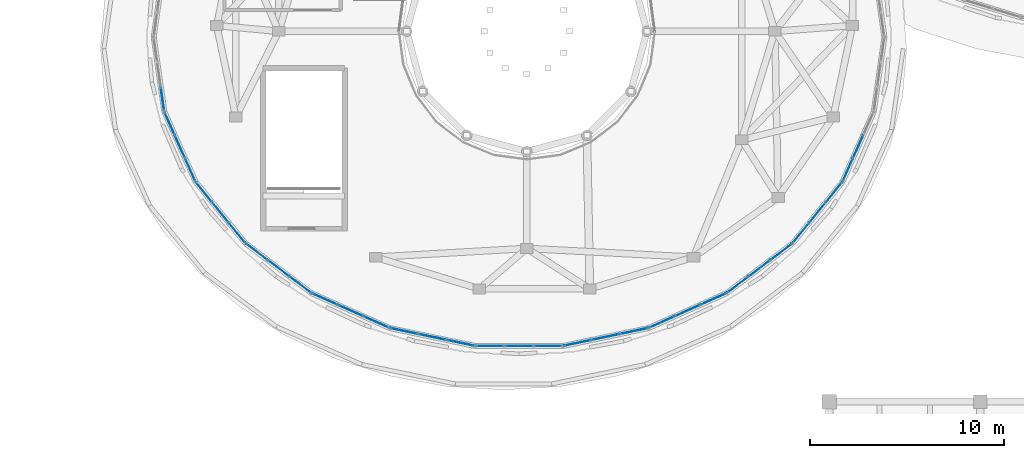
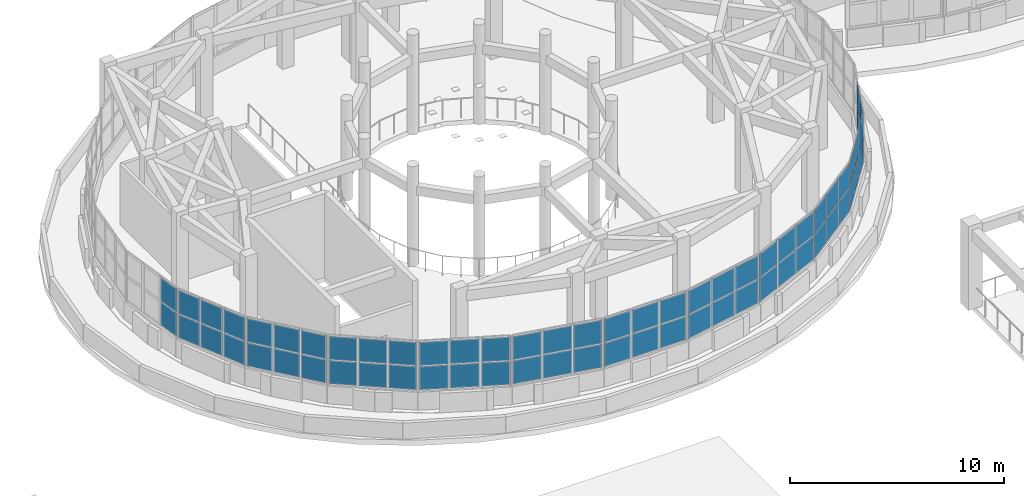
# One storey, part 56 of 98: 66 plates, 12 elements without a shape of their own.
"""IFC4 building model written with IfcOpenShell, lengths in metres."""

from ifc_helpers import new_model, si_unit, direction, frame, origin, origin_2d, place, context, subcontext, project, spatial, rectangle, extrude, material, layer, layer_set, type_object, element, aggregate, save


model = new_model("IFC4")

# Units and contexts
model_context = context("Model", 3, precision=1e-05, world=origin(), true_north=direction((0.0, 1.0)))
body_context = subcontext(model_context, "Body", "Model", "MODEL_VIEW")
ifc_project = project(units=[si_unit("LENGTHUNIT", "METRE"), si_unit("AREAUNIT", "SQUARE_METRE"), si_unit("VOLUMEUNIT", "CUBIC_METRE"), si_unit("PLANEANGLEUNIT", "RADIAN"), si_unit("MASSUNIT", "GRAM", prefix="KILO")], contexts=[model_context])

# Site, building, storey
site_placement = place(None, origin())
site = spatial("IfcSite", under=ifc_project, at=site_placement, CompositionType="ELEMENT")
building_placement = place(site_placement, origin())
building = spatial("IfcBuilding", under=site, at=building_placement, Name="Pelvatis Terrace Science Centre", CompositionType="ELEMENT")
storey_placement = place(building_placement, frame((0.0, 0.0, 5.39990234375)))
storey = spatial("IfcBuildingStorey", under=building, at=storey_placement, Name="L01", CompositionType="ELEMENT", Elevation=5.39990234375)

# Curtain wall, plates
ifc_material_1 = material(Name="Bronze-anodised aluminium and laminated glass", Category="aluminium")
ifc_layer_1 = layer(ifc_material_1, 0.179931640625)
ifc_layer_set_1 = layer_set([ifc_layer_1], Name="Bronze-anodised aluminium and laminated glass")
curtain_wall_type = type_object("IfcCurtainWallType", Name="CW-RIBBON-A", PredefinedType="NOTDEFINED", material=ifc_layer_set_1)
curtain_wall_1_placement = place(storey_placement, origin())
curtain_wall_1 = element("IfcCurtainWall", 1, at=curtain_wall_1_placement, inside=storey, type_object=curtain_wall_type, Name="Ribbon curtain wall CW-030 (L01)", PredefinedType="NOTDEFINED")
ifc_material_2 = material(Name="Low-e laminated solar-control double glazing", Category="glass")
ifc_layer_2 = layer(ifc_material_2, 0.031982421875)
ifc_layer_set_2 = layer_set([ifc_layer_2], Name="Low-e laminated solar-control double glazing")
plate_type = type_object("IfcPlateType", Name="CWP-IGU-32", PredefinedType="CURTAIN_PANEL", material=ifc_layer_set_2)
plate_1_placement = place(storey_placement, frame((28.00439453125, 31.614013671875, 1.080078125), z_axis=(0.0, 0.0, 1.0), x_axis=(0.141165156196, -0.989986059839, 0.0)))
plate_1 = element("IfcPlate", 2, at=plate_1_placement, type_object=plate_type, Name="CW-030 panel 3.1", PredefinedType="CURTAIN_PANEL", context=body_context, shape_type="SweptSolid", body=[
    extrude(rectangle(XDim=1.203369140625, YDim=0.031982421875, at=origin_2d()), origin(), (0.0, 0.0, 1.0), 1.330078125),
])
plate_2_placement = place(storey_placement, frame((28.00439453125, 31.614013671875, 2.469970703125), z_axis=(0.0, 0.0, 1.0), x_axis=(0.141165156196, -0.989986059839, 0.0)))
plate_2 = element("IfcPlate", 3, at=plate_2_placement, type_object=plate_type, Name="CW-030 panel 3.2", PredefinedType="CURTAIN_PANEL", context=body_context, shape_type="SweptSolid", body=[
    extrude(rectangle(XDim=1.203369140625, YDim=0.031982421875, at=origin_2d()), origin(), (0.0, 0.0, 1.0), 1.330078125),
])
aggregate(curtain_wall_1, [plate_1, plate_2])

curtain_wall_2_placement = place(storey_placement, origin())
curtain_wall_2 = element("IfcCurtainWall", 4, at=curtain_wall_2_placement, inside=storey, type_object=curtain_wall_type, Name="Ribbon curtain wall CW-031 (L01)", PredefinedType="NOTDEFINED")
plate_3_placement = place(storey_placement, frame((28.372314453125, 30.34228515625, 1.080078125), z_axis=(0.0, 0.0, 1.0), x_axis=(0.406895029669, -0.913474922935, 0.0)))
plate_3 = element("IfcPlate", 5, at=plate_3_placement, type_object=plate_type, Name="CW-031 panel 1.1", PredefinedType="CURTAIN_PANEL", context=body_context, shape_type="SweptSolid", body=[
    extrude(rectangle(XDim=1.230224609375, YDim=0.031982421875, at=origin_2d()), origin(), (0.0, 0.0, 1.0), 1.330078125),
])
plate_4_placement = place(storey_placement, frame((28.372314453125, 30.34228515625, 2.469970703125), z_axis=(0.0, 0.0, 1.0), x_axis=(0.406895029669, -0.913474922935, 0.0)))
plate_4 = element("IfcPlate", 6, at=plate_4_placement, type_object=plate_type, Name="CW-031 panel 1.2", PredefinedType="CURTAIN_PANEL", context=body_context, shape_type="SweptSolid", body=[
    extrude(rectangle(XDim=1.230224609375, YDim=0.031982421875, at=origin_2d()), origin(), (0.0, 0.0, 1.0), 1.330078125),
])
plate_5_placement = place(storey_placement, frame((28.903564453125, 29.150146484375, 1.080078125), z_axis=(0.0, 0.0, 1.0), x_axis=(0.406895029669, -0.913474922935, 0.0)))
plate_5 = element("IfcPlate", 7, at=plate_5_placement, type_object=plate_type, Name="CW-031 panel 2.1", PredefinedType="CURTAIN_PANEL", context=body_context, shape_type="SweptSolid", body=[
    extrude(rectangle(XDim=1.26025390625, YDim=0.031982421875, at=origin_2d()), origin(), (0.0, 0.0, 1.0), 1.330078125),
])
plate_6_placement = place(storey_placement, frame((28.903564453125, 29.150146484375, 2.469970703125), z_axis=(0.0, 0.0, 1.0), x_axis=(0.406895029669, -0.913474922935, 0.0)))
plate_6 = element("IfcPlate", 8, at=plate_6_placement, type_object=plate_type, Name="CW-031 panel 2.2", PredefinedType="CURTAIN_PANEL", context=body_context, shape_type="SweptSolid", body=[
    extrude(rectangle(XDim=1.26025390625, YDim=0.031982421875, at=origin_2d()), origin(), (0.0, 0.0, 1.0), 1.330078125),
])
plate_7_placement = place(storey_placement, frame((29.4345703125, 27.957763671875, 1.080078125), z_axis=(0.0, 0.0, 1.0), x_axis=(0.406895029669, -0.913474922935, 0.0)))
plate_7 = element("IfcPlate", 9, at=plate_7_placement, type_object=plate_type, Name="CW-031 panel 3.1", PredefinedType="CURTAIN_PANEL", context=body_context, shape_type="SweptSolid", body=[
    extrude(rectangle(XDim=1.230224609375, YDim=0.031982421875, at=origin_2d()), origin(), (0.0, 0.0, 1.0), 1.330078125),
])
plate_8_placement = place(storey_placement, frame((29.4345703125, 27.957763671875, 2.469970703125), z_axis=(0.0, 0.0, 1.0), x_axis=(0.406895029669, -0.913474922935, 0.0)))
plate_8 = element("IfcPlate", 10, at=plate_8_placement, type_object=plate_type, Name="CW-031 panel 3.2", PredefinedType="CURTAIN_PANEL", context=body_context, shape_type="SweptSolid", body=[
    extrude(rectangle(XDim=1.230224609375, YDim=0.031982421875, at=origin_2d()), origin(), (0.0, 0.0, 1.0), 1.330078125),
])
aggregate(curtain_wall_2, [plate_3, plate_4, plate_5, plate_6, plate_7, plate_8])

curtain_wall_3_placement = place(storey_placement, origin())
curtain_wall_3 = element("IfcCurtainWall", 11, at=curtain_wall_3_placement, inside=storey, type_object=curtain_wall_type, Name="Ribbon curtain wall CW-032 (L01)", PredefinedType="NOTDEFINED")
plate_9_placement = place(storey_placement, frame((30.14892578125, 26.798828125, 1.080078125), z_axis=(0.0, 0.0, 1.0), x_axis=(0.629733533753, -0.776811223185, 0.0)))
plate_9 = element("IfcPlate", 12, at=plate_9_placement, type_object=plate_type, Name="CW-032 panel 1.1", PredefinedType="CURTAIN_PANEL", context=body_context, shape_type="SweptSolid", body=[
    extrude(rectangle(XDim=1.2763671875, YDim=0.031982421875, at=origin_2d()), origin(), (0.0, 0.0, 1.0), 1.330078125),
])
plate_10_placement = place(storey_placement, frame((30.14892578125, 26.798828125, 2.469970703125), z_axis=(0.0, 0.0, 1.0), x_axis=(0.629733533753, -0.776811223185, 0.0)))
plate_10 = element("IfcPlate", 13, at=plate_10_placement, type_object=plate_type, Name="CW-032 panel 1.2", PredefinedType="CURTAIN_PANEL", context=body_context, shape_type="SweptSolid", body=[
    extrude(rectangle(XDim=1.2763671875, YDim=0.031982421875, at=origin_2d()), origin(), (0.0, 0.0, 1.0), 1.330078125),
])
plate_11_placement = place(storey_placement, frame((31.0, 25.7490234375, 1.080078125), z_axis=(0.0, 0.0, 1.0), x_axis=(0.629733533753, -0.776811223185, 0.0)))
plate_11 = element("IfcPlate", 14, at=plate_11_placement, type_object=plate_type, Name="CW-032 panel 2.1", PredefinedType="CURTAIN_PANEL", context=body_context, shape_type="SweptSolid", body=[
    extrude(rectangle(XDim=1.306396484375, YDim=0.031982421875, at=origin_2d()), origin(), (0.0, 0.0, 1.0), 1.330078125),
])
plate_12_placement = place(storey_placement, frame((31.0, 25.7490234375, 2.469970703125), z_axis=(0.0, 0.0, 1.0), x_axis=(0.629733533753, -0.776811223185, 0.0)))
plate_12 = element("IfcPlate", 15, at=plate_12_placement, type_object=plate_type, Name="CW-032 panel 2.2", PredefinedType="CURTAIN_PANEL", context=body_context, shape_type="SweptSolid", body=[
    extrude(rectangle(XDim=1.306396484375, YDim=0.031982421875, at=origin_2d()), origin(), (0.0, 0.0, 1.0), 1.330078125),
])
plate_13_placement = place(storey_placement, frame((31.850830078125, 24.69921875, 1.080078125), z_axis=(0.0, 0.0, 1.0), x_axis=(0.629733533753, -0.776811223185, 0.0)))
plate_13 = element("IfcPlate", 16, at=plate_13_placement, type_object=plate_type, Name="CW-032 panel 3.1", PredefinedType="CURTAIN_PANEL", context=body_context, shape_type="SweptSolid", body=[
    extrude(rectangle(XDim=1.2763671875, YDim=0.031982421875, at=origin_2d()), origin(), (0.0, 0.0, 1.0), 1.330078125),
])
plate_14_placement = place(storey_placement, frame((31.850830078125, 24.69921875, 2.469970703125), z_axis=(0.0, 0.0, 1.0), x_axis=(0.629733533753, -0.776811223185, 0.0)))
plate_14 = element("IfcPlate", 17, at=plate_14_placement, type_object=plate_type, Name="CW-032 panel 3.2", PredefinedType="CURTAIN_PANEL", context=body_context, shape_type="SweptSolid", body=[
    extrude(rectangle(XDim=1.2763671875, YDim=0.031982421875, at=origin_2d()), origin(), (0.0, 0.0, 1.0), 1.330078125),
])
aggregate(curtain_wall_3, [plate_9, plate_10, plate_11, plate_12, plate_13, plate_14])

curtain_wall_4_placement = place(storey_placement, origin())
curtain_wall_4 = element("IfcCurtainWall", 18, at=curtain_wall_4_placement, inside=storey, type_object=curtain_wall_type, Name="Ribbon curtain wall CW-033 (L01)", PredefinedType="NOTDEFINED")
plate_15_placement = place(storey_placement, frame((32.869384765625, 23.72021484375, 1.080078125), z_axis=(0.0, 0.0, 1.0), x_axis=(0.798335200411, -0.602213340756, 0.0)))
plate_15 = element("IfcPlate", 19, at=plate_15_placement, type_object=plate_type, Name="CW-033 panel 1.1", PredefinedType="CURTAIN_PANEL", context=body_context, shape_type="SweptSolid", body=[
    extrude(rectangle(XDim=1.330322265625, YDim=0.031982421875, at=origin_2d()), origin(), (0.0, 0.0, 1.0), 1.330078125),
])
plate_16_placement = place(storey_placement, frame((32.869384765625, 23.72021484375, 2.469970703125), z_axis=(0.0, 0.0, 1.0), x_axis=(0.798335200411, -0.602213340756, 0.0)))
plate_16 = element("IfcPlate", 20, at=plate_16_placement, type_object=plate_type, Name="CW-033 panel 1.2", PredefinedType="CURTAIN_PANEL", context=body_context, shape_type="SweptSolid", body=[
    extrude(rectangle(XDim=1.330322265625, YDim=0.031982421875, at=origin_2d()), origin(), (0.0, 0.0, 1.0), 1.330078125),
])
plate_17_placement = place(storey_placement, frame((33.9912109375, 22.8740234375, 1.080078125), z_axis=(0.0, 0.0, 1.0), x_axis=(0.798335200411, -0.602213340756, 0.0)))
plate_17 = element("IfcPlate", 21, at=plate_17_placement, type_object=plate_type, Name="CW-033 panel 2.1", PredefinedType="CURTAIN_PANEL", context=body_context, shape_type="SweptSolid", body=[
    extrude(rectangle(XDim=1.360107421875, YDim=0.031982421875, at=origin_2d()), origin(), (0.0, 0.0, 1.0), 1.330078125),
])
plate_18_placement = place(storey_placement, frame((33.9912109375, 22.8740234375, 2.469970703125), z_axis=(0.0, 0.0, 1.0), x_axis=(0.798335200411, -0.602213340756, 0.0)))
plate_18 = element("IfcPlate", 22, at=plate_18_placement, type_object=plate_type, Name="CW-033 panel 2.2", PredefinedType="CURTAIN_PANEL", context=body_context, shape_type="SweptSolid", body=[
    extrude(rectangle(XDim=1.360107421875, YDim=0.031982421875, at=origin_2d()), origin(), (0.0, 0.0, 1.0), 1.330078125),
])
plate_19_placement = place(storey_placement, frame((35.113037109375, 22.02783203125, 1.080078125), z_axis=(0.0, 0.0, 1.0), x_axis=(0.798335200411, -0.602213340756, 0.0)))
plate_19 = element("IfcPlate", 23, at=plate_19_placement, type_object=plate_type, Name="CW-033 panel 3.1", PredefinedType="CURTAIN_PANEL", context=body_context, shape_type="SweptSolid", body=[
    extrude(rectangle(XDim=1.330322265625, YDim=0.031982421875, at=origin_2d()), origin(), (0.0, 0.0, 1.0), 1.330078125),
])
plate_20_placement = place(storey_placement, frame((35.113037109375, 22.02783203125, 2.469970703125), z_axis=(0.0, 0.0, 1.0), x_axis=(0.798335200411, -0.602213340756, 0.0)))
plate_20 = element("IfcPlate", 24, at=plate_20_placement, type_object=plate_type, Name="CW-033 panel 3.2", PredefinedType="CURTAIN_PANEL", context=body_context, shape_type="SweptSolid", body=[
    extrude(rectangle(XDim=1.330322265625, YDim=0.031982421875, at=origin_2d()), origin(), (0.0, 0.0, 1.0), 1.330078125),
])
aggregate(curtain_wall_4, [plate_15, plate_16, plate_17, plate_18, plate_19, plate_20])

curtain_wall_5_placement = place(storey_placement, origin())
curtain_wall_5 = element("IfcCurtainWall", 25, at=curtain_wall_5_placement, inside=storey, type_object=curtain_wall_type, Name="Ribbon curtain wall CW-034 (L01)", PredefinedType="NOTDEFINED")
plate_21_placement = place(storey_placement, frame((36.376220703125, 21.285400390625, 1.080078125), z_axis=(0.0, 0.0, 1.0), x_axis=(0.91298533394, -0.407992377394, 0.0)))
plate_21 = element("IfcPlate", 26, at=plate_21_placement, type_object=plate_type, Name="CW-034 panel 1.1", PredefinedType="CURTAIN_PANEL", context=body_context, shape_type="SweptSolid", body=[
    extrude(rectangle(XDim=1.379150390625, YDim=0.031982421875, at=origin_2d()), origin(), (0.0, 0.0, 1.0), 1.330078125),
])
plate_22_placement = place(storey_placement, frame((36.376220703125, 21.285400390625, 2.469970703125), z_axis=(0.0, 0.0, 1.0), x_axis=(0.91298533394, -0.407992377394, 0.0)))
plate_22 = element("IfcPlate", 27, at=plate_22_placement, type_object=plate_type, Name="CW-034 panel 1.2", PredefinedType="CURTAIN_PANEL", context=body_context, shape_type="SweptSolid", body=[
    extrude(rectangle(XDim=1.379150390625, YDim=0.031982421875, at=origin_2d()), origin(), (0.0, 0.0, 1.0), 1.330078125),
])
plate_23_placement = place(storey_placement, frame((37.703857421875, 20.692138671875, 1.080078125), z_axis=(0.0, 0.0, 1.0), x_axis=(0.91298533394, -0.407992377394, 0.0)))
plate_23 = element("IfcPlate", 28, at=plate_23_placement, type_object=plate_type, Name="CW-034 panel 2.1", PredefinedType="CURTAIN_PANEL", context=body_context, shape_type="SweptSolid", body=[
    extrude(rectangle(XDim=1.4091796875, YDim=0.031982421875, at=origin_2d()), origin(), (0.0, 0.0, 1.0), 1.330078125),
])
plate_24_placement = place(storey_placement, frame((37.703857421875, 20.692138671875, 2.469970703125), z_axis=(0.0, 0.0, 1.0), x_axis=(0.91298533394, -0.407992377394, 0.0)))
plate_24 = element("IfcPlate", 29, at=plate_24_placement, type_object=plate_type, Name="CW-034 panel 2.2", PredefinedType="CURTAIN_PANEL", context=body_context, shape_type="SweptSolid", body=[
    extrude(rectangle(XDim=1.4091796875, YDim=0.031982421875, at=origin_2d()), origin(), (0.0, 0.0, 1.0), 1.330078125),
])
plate_25_placement = place(storey_placement, frame((39.031494140625, 20.098876953125, 1.080078125), z_axis=(0.0, 0.0, 1.0), x_axis=(0.91298533394, -0.407992377394, 0.0)))
plate_25 = element("IfcPlate", 30, at=plate_25_placement, type_object=plate_type, Name="CW-034 panel 3.1", PredefinedType="CURTAIN_PANEL", context=body_context, shape_type="SweptSolid", body=[
    extrude(rectangle(XDim=1.379150390625, YDim=0.031982421875, at=origin_2d()), origin(), (0.0, 0.0, 1.0), 1.330078125),
])
plate_26_placement = place(storey_placement, frame((39.031494140625, 20.098876953125, 2.469970703125), z_axis=(0.0, 0.0, 1.0), x_axis=(0.91298533394, -0.407992377394, 0.0)))
plate_26 = element("IfcPlate", 31, at=plate_26_placement, type_object=plate_type, Name="CW-034 panel 3.2", PredefinedType="CURTAIN_PANEL", context=body_context, shape_type="SweptSolid", body=[
    extrude(rectangle(XDim=1.379150390625, YDim=0.031982421875, at=origin_2d()), origin(), (0.0, 0.0, 1.0), 1.330078125),
])
aggregate(curtain_wall_5, [plate_21, plate_22, plate_23, plate_24, plate_25, plate_26])

curtain_wall_6_placement = place(storey_placement, origin())
curtain_wall_6 = element("IfcCurtainWall", 32, at=curtain_wall_6_placement, inside=storey, type_object=curtain_wall_type, Name="Ribbon curtain wall CW-035 (L01)", PredefinedType="NOTDEFINED")
plate_27_placement = place(storey_placement, frame((40.4658203125, 19.635498046875, 1.080078125), z_axis=(0.0, 0.0, 1.0), x_axis=(0.978678561862, -0.205397839698, 0.0)))
plate_27 = element("IfcPlate", 33, at=plate_27_placement, type_object=plate_type, Name="CW-035 panel 1.1", PredefinedType="CURTAIN_PANEL", context=body_context, shape_type="SweptSolid", body=[
    extrude(rectangle(XDim=1.412841796875, YDim=0.031982421875, at=origin_2d()), origin(), (0.0, 0.0, 1.0), 1.330078125),
])
plate_28_placement = place(storey_placement, frame((40.4658203125, 19.635498046875, 2.469970703125), z_axis=(0.0, 0.0, 1.0), x_axis=(0.978678561862, -0.205397839698, 0.0)))
plate_28 = element("IfcPlate", 34, at=plate_28_placement, type_object=plate_type, Name="CW-035 panel 1.2", PredefinedType="CURTAIN_PANEL", context=body_context, shape_type="SweptSolid", body=[
    extrude(rectangle(XDim=1.412841796875, YDim=0.031982421875, at=origin_2d()), origin(), (0.0, 0.0, 1.0), 1.330078125),
])
plate_29_placement = place(storey_placement, frame((41.921875, 19.330078125, 1.080078125), z_axis=(0.0, 0.0, 1.0), x_axis=(0.978678561862, -0.205397839698, 0.0)))
plate_29 = element("IfcPlate", 35, at=plate_29_placement, type_object=plate_type, Name="CW-035 panel 2.1", PredefinedType="CURTAIN_PANEL", context=body_context, shape_type="SweptSolid", body=[
    extrude(rectangle(XDim=1.44287109375, YDim=0.031982421875, at=origin_2d()), origin(), (0.0, 0.0, 1.0), 1.330078125),
])
plate_30_placement = place(storey_placement, frame((41.921875, 19.330078125, 2.469970703125), z_axis=(0.0, 0.0, 1.0), x_axis=(0.978678561862, -0.205397839698, 0.0)))
plate_30 = element("IfcPlate", 36, at=plate_30_placement, type_object=plate_type, Name="CW-035 panel 2.2", PredefinedType="CURTAIN_PANEL", context=body_context, shape_type="SweptSolid", body=[
    extrude(rectangle(XDim=1.44287109375, YDim=0.031982421875, at=origin_2d()), origin(), (0.0, 0.0, 1.0), 1.330078125),
])
plate_31_placement = place(storey_placement, frame((43.3779296875, 19.0244140625, 1.080078125), z_axis=(0.0, 0.0, 1.0), x_axis=(0.978678561862, -0.205397839698, 0.0)))
plate_31 = element("IfcPlate", 37, at=plate_31_placement, type_object=plate_type, Name="CW-035 panel 3.1", PredefinedType="CURTAIN_PANEL", context=body_context, shape_type="SweptSolid", body=[
    extrude(rectangle(XDim=1.412841796875, YDim=0.031982421875, at=origin_2d()), origin(), (0.0, 0.0, 1.0), 1.330078125),
])
plate_32_placement = place(storey_placement, frame((43.3779296875, 19.0244140625, 2.469970703125), z_axis=(0.0, 0.0, 1.0), x_axis=(0.978678561862, -0.205397839698, 0.0)))
plate_32 = element("IfcPlate", 38, at=plate_32_placement, type_object=plate_type, Name="CW-035 panel 3.2", PredefinedType="CURTAIN_PANEL", context=body_context, shape_type="SweptSolid", body=[
    extrude(rectangle(XDim=1.412841796875, YDim=0.031982421875, at=origin_2d()), origin(), (0.0, 0.0, 1.0), 1.330078125),
])
aggregate(curtain_wall_6, [plate_27, plate_28, plate_29, plate_30, plate_31, plate_32])

curtain_wall_7_placement = place(storey_placement, origin())
curtain_wall_7 = element("IfcCurtainWall", 39, at=curtain_wall_7_placement, inside=storey, type_object=curtain_wall_type, Name="Ribbon curtain wall CW-036 (L01)", PredefinedType="NOTDEFINED")
plate_33_placement = place(storey_placement, frame((44.900146484375, 18.866943359375, 1.080078125), z_axis=(0.0, 0.0, 1.0), x_axis=(1.0, 0.0, 0.0)))
plate_33 = element("IfcPlate", 40, at=plate_33_placement, type_object=plate_type, Name="CW-036 panel 1.1", PredefinedType="CURTAIN_PANEL", context=body_context, shape_type="SweptSolid", body=[
    extrude(rectangle(XDim=1.4248046875, YDim=0.031982421875, at=origin_2d()), origin(), (0.0, 0.0, 1.0), 1.330078125),
])
plate_34_placement = place(storey_placement, frame((44.900146484375, 18.866943359375, 2.469970703125), z_axis=(0.0, 0.0, 1.0), x_axis=(1.0, 0.0, 0.0)))
plate_34 = element("IfcPlate", 41, at=plate_34_placement, type_object=plate_type, Name="CW-036 panel 1.2", PredefinedType="CURTAIN_PANEL", context=body_context, shape_type="SweptSolid", body=[
    extrude(rectangle(XDim=1.4248046875, YDim=0.031982421875, at=origin_2d()), origin(), (0.0, 0.0, 1.0), 1.330078125),
])
plate_35_placement = place(storey_placement, frame((46.39990234375, 18.866943359375, 1.080078125), z_axis=(0.0, 0.0, 1.0), x_axis=(1.0, 0.0, 0.0)))
plate_35 = element("IfcPlate", 42, at=plate_35_placement, type_object=plate_type, Name="CW-036 panel 2.1", PredefinedType="CURTAIN_PANEL", context=body_context, shape_type="SweptSolid", body=[
    extrude(rectangle(XDim=1.454833984375, YDim=0.031982421875, at=origin_2d()), origin(), (0.0, 0.0, 1.0), 1.330078125),
])
plate_36_placement = place(storey_placement, frame((46.39990234375, 18.866943359375, 2.469970703125), z_axis=(0.0, 0.0, 1.0), x_axis=(1.0, 0.0, 0.0)))
plate_36 = element("IfcPlate", 43, at=plate_36_placement, type_object=plate_type, Name="CW-036 panel 2.2", PredefinedType="CURTAIN_PANEL", context=body_context, shape_type="SweptSolid", body=[
    extrude(rectangle(XDim=1.454833984375, YDim=0.031982421875, at=origin_2d()), origin(), (0.0, 0.0, 1.0), 1.330078125),
])
plate_37_placement = place(storey_placement, frame((47.899658203125, 18.866943359375, 1.080078125), z_axis=(0.0, 0.0, 1.0), x_axis=(1.0, 0.0, 0.0)))
plate_37 = element("IfcPlate", 44, at=plate_37_placement, type_object=plate_type, Name="CW-036 panel 3.1", PredefinedType="CURTAIN_PANEL", context=body_context, shape_type="SweptSolid", body=[
    extrude(rectangle(XDim=1.4248046875, YDim=0.031982421875, at=origin_2d()), origin(), (0.0, 0.0, 1.0), 1.330078125),
])
plate_38_placement = place(storey_placement, frame((47.899658203125, 18.866943359375, 2.469970703125), z_axis=(0.0, 0.0, 1.0), x_axis=(1.0, 0.0, 0.0)))
plate_38 = element("IfcPlate", 45, at=plate_38_placement, type_object=plate_type, Name="CW-036 panel 3.2", PredefinedType="CURTAIN_PANEL", context=body_context, shape_type="SweptSolid", body=[
    extrude(rectangle(XDim=1.4248046875, YDim=0.031982421875, at=origin_2d()), origin(), (0.0, 0.0, 1.0), 1.330078125),
])
aggregate(curtain_wall_7, [plate_33, plate_34, plate_35, plate_36, plate_37, plate_38])

curtain_wall_8_placement = place(storey_placement, origin())
curtain_wall_8 = element("IfcCurtainWall", 46, at=curtain_wall_8_placement, inside=storey, type_object=curtain_wall_type, Name="Ribbon curtain wall CW-037 (L01)", PredefinedType="NOTDEFINED")
plate_39_placement = place(storey_placement, frame((49.422119140625, 19.0244140625, 1.080078125), z_axis=(0.0, 0.0, 1.0), x_axis=(0.978678561862, 0.205397839698, 0.0)))
plate_39 = element("IfcPlate", 47, at=plate_39_placement, type_object=plate_type, Name="CW-037 panel 1.1", PredefinedType="CURTAIN_PANEL", context=body_context, shape_type="SweptSolid", body=[
    extrude(rectangle(XDim=1.412841796875, YDim=0.031982421875, at=origin_2d()), origin(), (0.0, 0.0, 1.0), 1.330078125),
])
plate_40_placement = place(storey_placement, frame((49.422119140625, 19.0244140625, 2.469970703125), z_axis=(0.0, 0.0, 1.0), x_axis=(0.978678561862, 0.205397839698, 0.0)))
plate_40 = element("IfcPlate", 48, at=plate_40_placement, type_object=plate_type, Name="CW-037 panel 1.2", PredefinedType="CURTAIN_PANEL", context=body_context, shape_type="SweptSolid", body=[
    extrude(rectangle(XDim=1.412841796875, YDim=0.031982421875, at=origin_2d()), origin(), (0.0, 0.0, 1.0), 1.330078125),
])
plate_41_placement = place(storey_placement, frame((50.878173828125, 19.330078125, 1.080078125), z_axis=(0.0, 0.0, 1.0), x_axis=(0.978678561862, 0.205397839698, 0.0)))
plate_41 = element("IfcPlate", 49, at=plate_41_placement, type_object=plate_type, Name="CW-037 panel 2.1", PredefinedType="CURTAIN_PANEL", context=body_context, shape_type="SweptSolid", body=[
    extrude(rectangle(XDim=1.44287109375, YDim=0.031982421875, at=origin_2d()), origin(), (0.0, 0.0, 1.0), 1.330078125),
])
plate_42_placement = place(storey_placement, frame((50.878173828125, 19.330078125, 2.469970703125), z_axis=(0.0, 0.0, 1.0), x_axis=(0.978678561862, 0.205397839698, 0.0)))
plate_42 = element("IfcPlate", 50, at=plate_42_placement, type_object=plate_type, Name="CW-037 panel 2.2", PredefinedType="CURTAIN_PANEL", context=body_context, shape_type="SweptSolid", body=[
    extrude(rectangle(XDim=1.44287109375, YDim=0.031982421875, at=origin_2d()), origin(), (0.0, 0.0, 1.0), 1.330078125),
])
plate_43_placement = place(storey_placement, frame((52.334228515625, 19.635498046875, 1.080078125), z_axis=(0.0, 0.0, 1.0), x_axis=(0.978678561862, 0.205397839698, 0.0)))
plate_43 = element("IfcPlate", 51, at=plate_43_placement, type_object=plate_type, Name="CW-037 panel 3.1", PredefinedType="CURTAIN_PANEL", context=body_context, shape_type="SweptSolid", body=[
    extrude(rectangle(XDim=1.412841796875, YDim=0.031982421875, at=origin_2d()), origin(), (0.0, 0.0, 1.0), 1.330078125),
])
plate_44_placement = place(storey_placement, frame((52.334228515625, 19.635498046875, 2.469970703125), z_axis=(0.0, 0.0, 1.0), x_axis=(0.978678561862, 0.205397839698, 0.0)))
plate_44 = element("IfcPlate", 52, at=plate_44_placement, type_object=plate_type, Name="CW-037 panel 3.2", PredefinedType="CURTAIN_PANEL", context=body_context, shape_type="SweptSolid", body=[
    extrude(rectangle(XDim=1.412841796875, YDim=0.031982421875, at=origin_2d()), origin(), (0.0, 0.0, 1.0), 1.330078125),
])
aggregate(curtain_wall_8, [plate_39, plate_40, plate_41, plate_42, plate_43, plate_44])

curtain_wall_9_placement = place(storey_placement, origin())
curtain_wall_9 = element("IfcCurtainWall", 53, at=curtain_wall_9_placement, inside=storey, type_object=curtain_wall_type, Name="Ribbon curtain wall CW-038 (L01)", PredefinedType="NOTDEFINED")
plate_45_placement = place(storey_placement, frame((53.7685546875, 20.098876953125, 1.080078125), z_axis=(0.0, 0.0, 1.0), x_axis=(0.91298533394, 0.407992377394, 0.0)))
plate_45 = element("IfcPlate", 54, at=plate_45_placement, type_object=plate_type, Name="CW-038 panel 1.1", PredefinedType="CURTAIN_PANEL", context=body_context, shape_type="SweptSolid", body=[
    extrude(rectangle(XDim=1.379150390625, YDim=0.031982421875, at=origin_2d()), origin(), (0.0, 0.0, 1.0), 1.330078125),
])
plate_46_placement = place(storey_placement, frame((53.7685546875, 20.098876953125, 2.469970703125), z_axis=(0.0, 0.0, 1.0), x_axis=(0.91298533394, 0.407992377394, 0.0)))
plate_46 = element("IfcPlate", 55, at=plate_46_placement, type_object=plate_type, Name="CW-038 panel 1.2", PredefinedType="CURTAIN_PANEL", context=body_context, shape_type="SweptSolid", body=[
    extrude(rectangle(XDim=1.379150390625, YDim=0.031982421875, at=origin_2d()), origin(), (0.0, 0.0, 1.0), 1.330078125),
])
plate_47_placement = place(storey_placement, frame((55.09619140625, 20.692138671875, 1.080078125), z_axis=(0.0, 0.0, 1.0), x_axis=(0.91298533394, 0.407992377394, 0.0)))
plate_47 = element("IfcPlate", 56, at=plate_47_placement, type_object=plate_type, Name="CW-038 panel 2.1", PredefinedType="CURTAIN_PANEL", context=body_context, shape_type="SweptSolid", body=[
    extrude(rectangle(XDim=1.4091796875, YDim=0.031982421875, at=origin_2d()), origin(), (0.0, 0.0, 1.0), 1.330078125),
])
plate_48_placement = place(storey_placement, frame((55.09619140625, 20.692138671875, 2.469970703125), z_axis=(0.0, 0.0, 1.0), x_axis=(0.91298533394, 0.407992377394, 0.0)))
plate_48 = element("IfcPlate", 57, at=plate_48_placement, type_object=plate_type, Name="CW-038 panel 2.2", PredefinedType="CURTAIN_PANEL", context=body_context, shape_type="SweptSolid", body=[
    extrude(rectangle(XDim=1.4091796875, YDim=0.031982421875, at=origin_2d()), origin(), (0.0, 0.0, 1.0), 1.330078125),
])
plate_49_placement = place(storey_placement, frame((56.423583984375, 21.285400390625, 1.080078125), z_axis=(0.0, 0.0, 1.0), x_axis=(0.91298533394, 0.407992377394, 0.0)))
plate_49 = element("IfcPlate", 58, at=plate_49_placement, type_object=plate_type, Name="CW-038 panel 3.1", PredefinedType="CURTAIN_PANEL", context=body_context, shape_type="SweptSolid", body=[
    extrude(rectangle(XDim=1.379150390625, YDim=0.031982421875, at=origin_2d()), origin(), (0.0, 0.0, 1.0), 1.330078125),
])
plate_50_placement = place(storey_placement, frame((56.423583984375, 21.285400390625, 2.469970703125), z_axis=(0.0, 0.0, 1.0), x_axis=(0.91298533394, 0.407992377394, 0.0)))
plate_50 = element("IfcPlate", 59, at=plate_50_placement, type_object=plate_type, Name="CW-038 panel 3.2", PredefinedType="CURTAIN_PANEL", context=body_context, shape_type="SweptSolid", body=[
    extrude(rectangle(XDim=1.379150390625, YDim=0.031982421875, at=origin_2d()), origin(), (0.0, 0.0, 1.0), 1.330078125),
])
aggregate(curtain_wall_9, [plate_45, plate_46, plate_47, plate_48, plate_49, plate_50])

curtain_wall_10_placement = place(storey_placement, origin())
curtain_wall_10 = element("IfcCurtainWall", 60, at=curtain_wall_10_placement, inside=storey, type_object=curtain_wall_type, Name="Ribbon curtain wall CW-039 (L01)", PredefinedType="NOTDEFINED")
plate_51_placement = place(storey_placement, frame((57.686767578125, 22.02783203125, 1.080078125), z_axis=(0.0, 0.0, 1.0), x_axis=(0.798335200411, 0.602213340756, 0.0)))
plate_51 = element("IfcPlate", 61, at=plate_51_placement, type_object=plate_type, Name="CW-039 panel 1.1", PredefinedType="CURTAIN_PANEL", context=body_context, shape_type="SweptSolid", body=[
    extrude(rectangle(XDim=1.330322265625, YDim=0.031982421875, at=origin_2d()), origin(), (0.0, 0.0, 1.0), 1.330078125),
])
plate_52_placement = place(storey_placement, frame((57.686767578125, 22.02783203125, 2.469970703125), z_axis=(0.0, 0.0, 1.0), x_axis=(0.798335200411, 0.602213340756, 0.0)))
plate_52 = element("IfcPlate", 62, at=plate_52_placement, type_object=plate_type, Name="CW-039 panel 1.2", PredefinedType="CURTAIN_PANEL", context=body_context, shape_type="SweptSolid", body=[
    extrude(rectangle(XDim=1.330322265625, YDim=0.031982421875, at=origin_2d()), origin(), (0.0, 0.0, 1.0), 1.330078125),
])
plate_53_placement = place(storey_placement, frame((58.80859375, 22.8740234375, 1.080078125), z_axis=(0.0, 0.0, 1.0), x_axis=(0.798335200411, 0.602213340756, 0.0)))
plate_53 = element("IfcPlate", 63, at=plate_53_placement, type_object=plate_type, Name="CW-039 panel 2.1", PredefinedType="CURTAIN_PANEL", context=body_context, shape_type="SweptSolid", body=[
    extrude(rectangle(XDim=1.360107421875, YDim=0.031982421875, at=origin_2d()), origin(), (0.0, 0.0, 1.0), 1.330078125),
])
plate_54_placement = place(storey_placement, frame((58.80859375, 22.8740234375, 2.469970703125), z_axis=(0.0, 0.0, 1.0), x_axis=(0.798335200411, 0.602213340756, 0.0)))
plate_54 = element("IfcPlate", 64, at=plate_54_placement, type_object=plate_type, Name="CW-039 panel 2.2", PredefinedType="CURTAIN_PANEL", context=body_context, shape_type="SweptSolid", body=[
    extrude(rectangle(XDim=1.360107421875, YDim=0.031982421875, at=origin_2d()), origin(), (0.0, 0.0, 1.0), 1.330078125),
])
plate_55_placement = place(storey_placement, frame((59.930419921875, 23.72021484375, 1.080078125), z_axis=(0.0, 0.0, 1.0), x_axis=(0.798335200411, 0.602213340756, 0.0)))
plate_55 = element("IfcPlate", 65, at=plate_55_placement, type_object=plate_type, Name="CW-039 panel 3.1", PredefinedType="CURTAIN_PANEL", context=body_context, shape_type="SweptSolid", body=[
    extrude(rectangle(XDim=1.330322265625, YDim=0.031982421875, at=origin_2d()), origin(), (0.0, 0.0, 1.0), 1.330078125),
])
plate_56_placement = place(storey_placement, frame((59.930419921875, 23.72021484375, 2.469970703125), z_axis=(0.0, 0.0, 1.0), x_axis=(0.798335200411, 0.602213340756, 0.0)))
plate_56 = element("IfcPlate", 66, at=plate_56_placement, type_object=plate_type, Name="CW-039 panel 3.2", PredefinedType="CURTAIN_PANEL", context=body_context, shape_type="SweptSolid", body=[
    extrude(rectangle(XDim=1.330322265625, YDim=0.031982421875, at=origin_2d()), origin(), (0.0, 0.0, 1.0), 1.330078125),
])
aggregate(curtain_wall_10, [plate_51, plate_52, plate_53, plate_54, plate_55, plate_56])

curtain_wall_11_placement = place(storey_placement, origin())
curtain_wall_11 = element("IfcCurtainWall", 67, at=curtain_wall_11_placement, inside=storey, type_object=curtain_wall_type, Name="Ribbon curtain wall CW-040 (L01)", PredefinedType="NOTDEFINED")
plate_57_placement = place(storey_placement, frame((60.948974609375, 24.69921875, 1.080078125), z_axis=(0.0, 0.0, 1.0), x_axis=(0.629733533753, 0.776811223185, 0.0)))
plate_57 = element("IfcPlate", 68, at=plate_57_placement, type_object=plate_type, Name="CW-040 panel 1.1", PredefinedType="CURTAIN_PANEL", context=body_context, shape_type="SweptSolid", body=[
    extrude(rectangle(XDim=1.2763671875, YDim=0.031982421875, at=origin_2d()), origin(), (0.0, 0.0, 1.0), 1.330078125),
])
plate_58_placement = place(storey_placement, frame((60.948974609375, 24.69921875, 2.469970703125), z_axis=(0.0, 0.0, 1.0), x_axis=(0.629733533753, 0.776811223185, 0.0)))
plate_58 = element("IfcPlate", 69, at=plate_58_placement, type_object=plate_type, Name="CW-040 panel 1.2", PredefinedType="CURTAIN_PANEL", context=body_context, shape_type="SweptSolid", body=[
    extrude(rectangle(XDim=1.2763671875, YDim=0.031982421875, at=origin_2d()), origin(), (0.0, 0.0, 1.0), 1.330078125),
])
plate_59_placement = place(storey_placement, frame((61.800048828125, 25.7490234375, 1.080078125), z_axis=(0.0, 0.0, 1.0), x_axis=(0.629733533753, 0.776811223185, 0.0)))
plate_59 = element("IfcPlate", 70, at=plate_59_placement, type_object=plate_type, Name="CW-040 panel 2.1", PredefinedType="CURTAIN_PANEL", context=body_context, shape_type="SweptSolid", body=[
    extrude(rectangle(XDim=1.306396484375, YDim=0.031982421875, at=origin_2d()), origin(), (0.0, 0.0, 1.0), 1.330078125),
])
plate_60_placement = place(storey_placement, frame((61.800048828125, 25.7490234375, 2.469970703125), z_axis=(0.0, 0.0, 1.0), x_axis=(0.629733533753, 0.776811223185, 0.0)))
plate_60 = element("IfcPlate", 71, at=plate_60_placement, type_object=plate_type, Name="CW-040 panel 2.2", PredefinedType="CURTAIN_PANEL", context=body_context, shape_type="SweptSolid", body=[
    extrude(rectangle(XDim=1.306396484375, YDim=0.031982421875, at=origin_2d()), origin(), (0.0, 0.0, 1.0), 1.330078125),
])
plate_61_placement = place(storey_placement, frame((62.651123046875, 26.798828125, 1.080078125), z_axis=(0.0, 0.0, 1.0), x_axis=(0.629733533753, 0.776811223185, 0.0)))
plate_61 = element("IfcPlate", 72, at=plate_61_placement, type_object=plate_type, Name="CW-040 panel 3.1", PredefinedType="CURTAIN_PANEL", context=body_context, shape_type="SweptSolid", body=[
    extrude(rectangle(XDim=1.2763671875, YDim=0.031982421875, at=origin_2d()), origin(), (0.0, 0.0, 1.0), 1.330078125),
])
plate_62_placement = place(storey_placement, frame((62.651123046875, 26.798828125, 2.469970703125), z_axis=(0.0, 0.0, 1.0), x_axis=(0.629733533753, 0.776811223185, 0.0)))
plate_62 = element("IfcPlate", 73, at=plate_62_placement, type_object=plate_type, Name="CW-040 panel 3.2", PredefinedType="CURTAIN_PANEL", context=body_context, shape_type="SweptSolid", body=[
    extrude(rectangle(XDim=1.2763671875, YDim=0.031982421875, at=origin_2d()), origin(), (0.0, 0.0, 1.0), 1.330078125),
])
aggregate(curtain_wall_11, [plate_57, plate_58, plate_59, plate_60, plate_61, plate_62])

curtain_wall_12_placement = place(storey_placement, origin())
curtain_wall_12 = element("IfcCurtainWall", 74, at=curtain_wall_12_placement, inside=storey, type_object=curtain_wall_type, Name="Ribbon curtain wall CW-041 (L01)", PredefinedType="NOTDEFINED")
plate_63_placement = place(storey_placement, frame((63.365478515625, 27.957763671875, 1.080078125), z_axis=(0.0, 0.0, 1.0), x_axis=(0.406895029669, 0.913474922935, 0.0)))
plate_63 = element("IfcPlate", 75, at=plate_63_placement, type_object=plate_type, Name="CW-041 panel 1.1", PredefinedType="CURTAIN_PANEL", context=body_context, shape_type="SweptSolid", body=[
    extrude(rectangle(XDim=1.230224609375, YDim=0.031982421875, at=origin_2d()), origin(), (0.0, 0.0, 1.0), 1.330078125),
])
plate_64_placement = place(storey_placement, frame((63.365478515625, 27.957763671875, 2.469970703125), z_axis=(0.0, 0.0, 1.0), x_axis=(0.406895029669, 0.913474922935, 0.0)))
plate_64 = element("IfcPlate", 76, at=plate_64_placement, type_object=plate_type, Name="CW-041 panel 1.2", PredefinedType="CURTAIN_PANEL", context=body_context, shape_type="SweptSolid", body=[
    extrude(rectangle(XDim=1.230224609375, YDim=0.031982421875, at=origin_2d()), origin(), (0.0, 0.0, 1.0), 1.330078125),
])
plate_65_placement = place(storey_placement, frame((63.896484375, 29.150146484375, 1.080078125), z_axis=(0.0, 0.0, 1.0), x_axis=(0.406895029669, 0.913474922935, 0.0)))
plate_65 = element("IfcPlate", 77, at=plate_65_placement, type_object=plate_type, Name="CW-041 panel 2.1", PredefinedType="CURTAIN_PANEL", context=body_context, shape_type="SweptSolid", body=[
    extrude(rectangle(XDim=1.26025390625, YDim=0.031982421875, at=origin_2d()), origin(), (0.0, 0.0, 1.0), 1.330078125),
])
plate_66_placement = place(storey_placement, frame((63.896484375, 29.150146484375, 2.469970703125), z_axis=(0.0, 0.0, 1.0), x_axis=(0.406895029669, 0.913474922935, 0.0)))
plate_66 = element("IfcPlate", 78, at=plate_66_placement, type_object=plate_type, Name="CW-041 panel 2.2", PredefinedType="CURTAIN_PANEL", context=body_context, shape_type="SweptSolid", body=[
    extrude(rectangle(XDim=1.26025390625, YDim=0.031982421875, at=origin_2d()), origin(), (0.0, 0.0, 1.0), 1.330078125),
])
aggregate(curtain_wall_12, [plate_63, plate_64, plate_65, plate_66])

save(model, "model.ifc")
